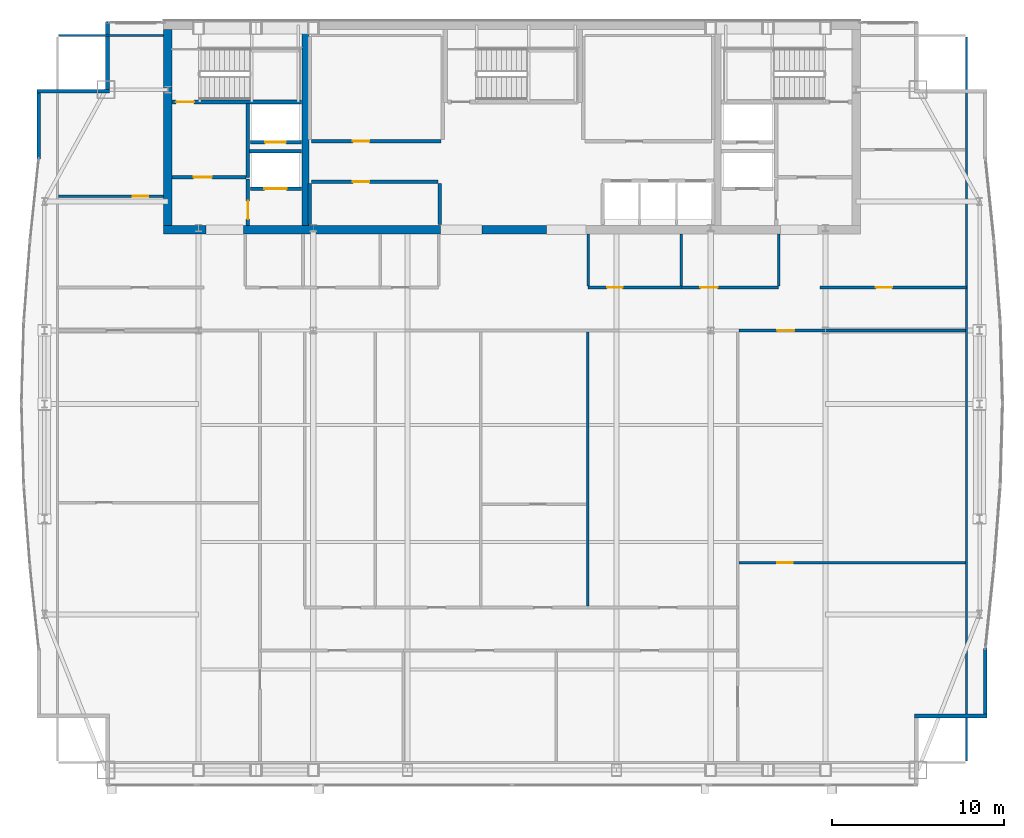
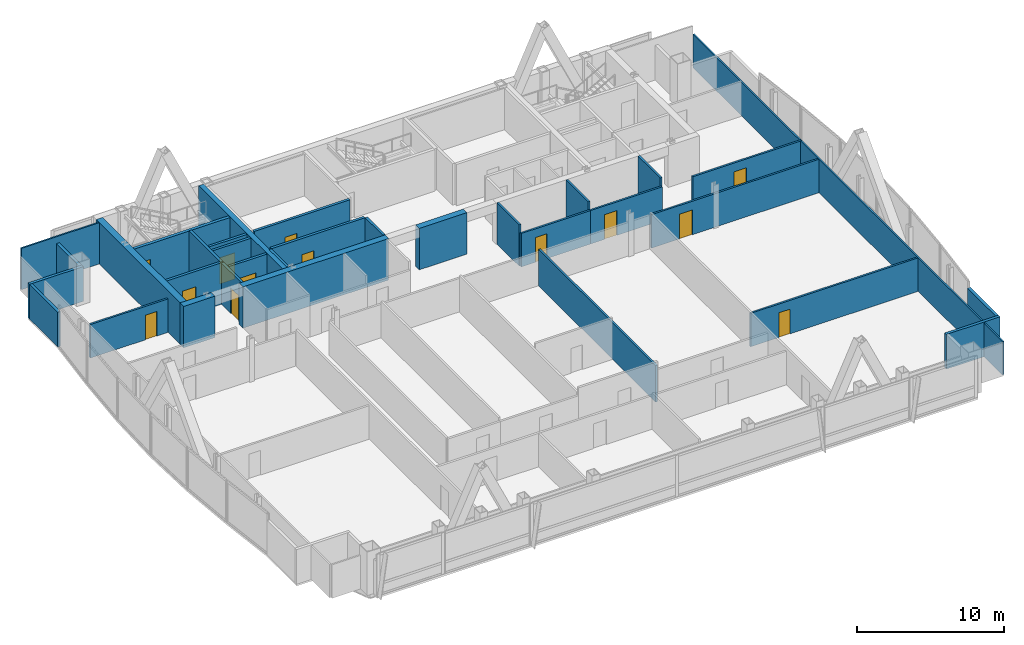
# One storey, part 26 of 30: 33 walls, 13 doors, 13 openings.
"""IFC4 building model written with IfcOpenShell, lengths in metres."""

from ifc_helpers import new_model, si_unit, direction, frame, frame_2d, origin, place, context, subcontext, project, spatial, rectangle, extrude, material, layer, layer_set, type_object, element, fill, save


model = new_model("IFC4")

# Units and contexts
model_context = context("Model", 3, precision=1e-05, world=origin(), true_north=direction((0.0, 1.0)))
body_context = subcontext(model_context, "Body", "Model", "MODEL_VIEW")
ifc_project = project(units=[si_unit("LENGTHUNIT", "METRE"), si_unit("AREAUNIT", "SQUARE_METRE"), si_unit("VOLUMEUNIT", "CUBIC_METRE"), si_unit("PLANEANGLEUNIT", "RADIAN"), si_unit("MASSUNIT", "GRAM", prefix="KILO")], contexts=[model_context])

# Site, building, storey
site_placement = place(None, origin())
site = spatial("IfcSite", under=ifc_project, at=site_placement, CompositionType="ELEMENT")
building_placement = place(site_placement, origin())
building = spatial("IfcBuilding", under=site, at=building_placement, Name="Khoronbel Lancet Exchange", CompositionType="ELEMENT")
storey_placement = place(building_placement, frame((0.0, 0.0, 284.199951171875)))
storey = spatial("IfcBuildingStorey", under=building, at=storey_placement, Name="L73", CompositionType="ELEMENT", Elevation=284.199951171875)

# Walls
ifc_material_1 = material(Name="Concrete C60/75", Category="concrete")
ifc_layer_1 = layer(ifc_material_1, 0.5, Name="Concrete C60/75")
ifc_layer_set_1 = layer_set([ifc_layer_1], Name="Concrete C60/75")
wall_type_1 = type_object("IfcWallType", Name="WL-CW4", PredefinedType="SHEAR", material=ifc_layer_set_1)
wall_1_placement = place(storey_placement, frame((16.449951171875, 41.800048828125, 0.0), z_axis=(0.0, 0.0, 1.0), x_axis=(0.0, 1.0, 0.0)))
element("IfcWall", 1, at=wall_1_placement, inside=storey, type_object=wall_type_1, Name="Level L73 rear core west shear wall", PredefinedType="SHEAR", context=body_context, shape_type="SweptSolid", body=[
    extrude(rectangle(XDim=11.39990234375, YDim=0.5, at=frame_2d((5.699951171875, 0.0))), origin(), (0.0, 0.0, 1.0), 3.43994140625),
])
wall_2_placement = place(storey_placement, frame((18.64990234375, 41.550048828125, 0.0), z_axis=(0.0, 0.0, 1.0), x_axis=(-1.0, 0.0, 0.0)))
element("IfcWall", 2, at=wall_2_placement, inside=storey, type_object=wall_type_1, Name="Level L73 rear core south shear wall pier P1", PredefinedType="SHEAR", context=body_context, shape_type="SweptSolid", body=[
    extrude(rectangle(XDim=2.449951171875, YDim=0.5, at=frame_2d((1.22509765625, 0.0))), origin(), (0.0, 0.0, 1.0), 3.43994140625),
])
wall_3_placement = place(storey_placement, frame((32.300048828125, 41.550048828125, 0.0), z_axis=(0.0, 0.0, 1.0), x_axis=(-1.0, 0.0, 0.0)))
element("IfcWall", 3, at=wall_3_placement, inside=storey, type_object=wall_type_1, Name="Level L73 rear core south shear wall pier P2", PredefinedType="SHEAR", context=body_context, shape_type="SweptSolid", body=[
    extrude(rectangle(XDim=11.449951171875, YDim=0.5, at=frame_2d((5.72509765625, 0.0))), origin(), (0.0, 0.0, 1.0), 3.43994140625),
])
wall_4_placement = place(storey_placement, frame((38.449951171875, 41.550048828125, 0.0), z_axis=(0.0, 0.0, 1.0), x_axis=(-1.0, 0.0, 0.0)))
element("IfcWall", 4, at=wall_4_placement, inside=storey, type_object=wall_type_1, Name="Level L73 rear core south shear wall pier P3", PredefinedType="SHEAR", context=body_context, shape_type="SweptSolid", body=[
    extrude(rectangle(XDim=3.75, YDim=0.5, at=frame_2d((1.875, 0.0))), origin(), (0.0, 0.0, 1.0), 3.43994140625),
])
ifc_material_2 = material(Name="Precast concrete C40/50", Category="concrete")
ifc_layer_2 = layer(ifc_material_2, 0.25, Name="Precast concrete C40/50")
ifc_layer_set_2 = layer_set([ifc_layer_2], Name="Precast concrete C40/50")
wall_type_2 = type_object("IfcWallType", Name="WL-EXT250", PredefinedType="SOLIDWALL", material=ifc_layer_set_2)
wall_5_placement = place(storey_placement, frame((8.93994140625, 45.67529296875, 0.0), z_axis=(0.0, 0.0, 1.0), x_axis=(0.0, 1.0, 0.0)))
element("IfcWall", 5, at=wall_5_placement, inside=storey, type_object=wall_type_2, Name="Level L73 notched-corner limestone pier 10", PredefinedType="SOLIDWALL", context=body_context, shape_type="SweptSolid", body=[
    extrude(rectangle(XDim=3.82470703125, YDim=0.219970703125, at=frame_2d((1.912353515625, 0.0))), origin(), (0.0, 0.0, 1.0), 2.880126953125),
])
wall_6_placement = place(storey_placement, frame((8.830078125, 49.610107421875, 0.0), z_axis=(0.0, 0.0, 1.0), x_axis=(1.0, 0.0, 0.0)))
element("IfcWall", 6, at=wall_6_placement, inside=storey, type_object=wall_type_2, Name="Level L73 notched-corner limestone pier 11", PredefinedType="SOLIDWALL", context=body_context, shape_type="SweptSolid", body=[
    extrude(rectangle(XDim=4.219970703125, YDim=0.219970703125, at=frame_2d((2.10986328125, 0.0))), origin(), (0.0, 0.0, 1.0), 2.880126953125),
])
wall_7_placement = place(storey_placement, frame((12.93994140625, 49.719970703125, 0.0), z_axis=(0.0, 0.0, 1.0), x_axis=(0.0, 1.0, 0.0)))
element("IfcWall", 7, at=wall_7_placement, inside=storey, type_object=wall_type_2, Name="Level L73 notched-corner limestone pier 12", PredefinedType="SOLIDWALL", context=body_context, shape_type="SweptSolid", body=[
    extrude(rectangle(XDim=3.909912109375, YDim=0.219970703125, at=frame_2d((1.955078125, 0.0))), origin(), (0.0, 0.0, 1.0), 2.880126953125),
])
wall_8_placement = place(storey_placement, frame((63.9599609375, 17.224609375, 0.0), z_axis=(0.0, 0.0, 1.0), x_axis=(0.0, -1.0, 0.0)))
element("IfcWall", 8, at=wall_8_placement, inside=storey, type_object=wall_type_2, Name="Level L73 notched-corner limestone pier 23", PredefinedType="SOLIDWALL", context=body_context, shape_type="SweptSolid", body=[
    extrude(rectangle(XDim=3.82470703125, YDim=0.219970703125, at=frame_2d((1.912353515625, 0.0))), origin(), (0.0, 0.0, 1.0), 2.880126953125),
])
wall_9_placement = place(storey_placement, frame((64.070068359375, 13.2900390625, 0.0), z_axis=(0.0, 0.0, 1.0), x_axis=(-1.0, 0.0, 0.0)))
element("IfcWall", 9, at=wall_9_placement, inside=storey, type_object=wall_type_2, Name="Level L73 notched-corner limestone pier 24", PredefinedType="SOLIDWALL", context=body_context, shape_type="SweptSolid", body=[
    extrude(rectangle(XDim=4.219970703125, YDim=0.219970703125, at=frame_2d((2.10986328125, 0.0))), origin(), (0.0, 0.0, 1.0), 2.880126953125),
])
ifc_material_3 = material(Name="Acoustic Metal-Stud & Mineral-Wool Gypsum Partition 120 mm", Category="gypsum")
ifc_layer_3 = layer(ifc_material_3, 0.1201171875, Name="Acoustic Metal-Stud & Mineral-Wool Gypsum Partition 120 mm")
ifc_layer_set_3 = layer_set([ifc_layer_3], Name="Acoustic Metal-Stud & Mineral-Wool Gypsum Partition 120 mm")
wall_type_3 = type_object("IfcWallType", Name="WL-PRT120", PredefinedType="PARTITIONING", material=ifc_layer_set_3)
for number, where, z_axis, x_axis, name in (
    (10, (40.8798828125, 38.280029296875, 0.0), (0.0, 0.0, 1.0), (0.0, 1.0, 0.0), "Level L73 interior partition PW-NP-0"),
    (11, (46.300048828125, 38.280029296875, 0.0), (0.0, 0.0, 1.0), (0.0, 1.0, 0.0), "Level L73 interior partition PW-NP-M"),
    (12, (51.949951171875, 38.280029296875, 0.0), (0.0, 0.0, 1.0), (0.0, 1.0, 0.0), "Level L73 interior partition PW-NP-1"),
):
    element("IfcWall", number, at=place(storey_placement, frame(where, z_axis=z_axis, x_axis=x_axis)), inside=storey, type_object=wall_type_3, Name=name, PredefinedType="PARTITIONING", context=body_context, shape_type="SweptSolid", body=[
        extrude(rectangle(XDim=3.02001953125, YDim=0.14990234375, at=frame_2d((1.510009765625, 0.0))), origin(), (0.0, 0.0, 1.0), 3.43994140625),
    ])

# Wall, opening, door
wall_10_placement = place(storey_placement, frame((10.094970703125, 43.5, 0.0), z_axis=(0.0, 0.0, 1.0), x_axis=(1.0, 0.0, 0.0)))
wall_10 = element("IfcWall", 13, at=wall_10_placement, inside=storey, type_object=wall_type_3, Name="Level L73 interior partition PW-NW-H", PredefinedType="PARTITIONING", context=body_context, shape_type="SweptSolid", body=[
    extrude(rectangle(XDim=6.10498046875, YDim=0.14990234375, at=frame_2d((3.052490234375, 0.0))), origin(), (0.0, 0.0, 1.0), 2.780029296875),
])
opening_1_placement = place(wall_10_placement, frame((4.320068359375, 0.0, 0.0)))
opening_1 = element("IfcOpeningElement", 14, at=opening_1_placement, cuts=wall_10, Name="Opening D5", PredefinedType="OPENING", context=body_context, shape_type="SweptSolid", body=[
    extrude(rectangle(XDim=0.89990234375, YDim=2.050048828125, at=frame_2d((0.449951171875, 1.02490234375))), frame((0.0, 0.0849609375, 0.0), z_axis=(0.0, -1.0, 0.0), x_axis=(1.0, 0.0, 0.0)), (0.0, 0.0, 1.0), 0.169921875),
])
ifc_material_4 = material(Name="Acoustic Timber Pantry & Support Door", Category="wood")
door_type_1 = type_object("IfcDoorType", Name="DR-D5", OperationType="NOTDEFINED", PredefinedType="DOOR", material=ifc_material_4)
door_1_placement = place(opening_1_placement, origin())
door_1 = element("IfcDoor", 15, at=door_1_placement, inside=storey, type_object=door_type_1, Name="NW north room door L73-1", OperationType="SINGLE_SWING_RIGHT", OverallHeight=2.050048828125, OverallWidth=0.89990234375, PredefinedType="DOOR", context=body_context, shape_type="SweptSolid", body=[
    extrude(rectangle(XDim=0.89990234375, YDim=2.050048828125, at=frame_2d((0.449951171875, 1.02490234375))), frame((0.0, 0.02490234375, 0.0), z_axis=(0.0, -1.0, 0.0), x_axis=(1.0, 0.0, 0.0)), (0.0, 0.0, 1.0), 0.050048828125),
])
fill(opening_1, door_1)

wall_11_placement = place(storey_placement, frame((49.659912109375, 22.199951171875, 0.0), z_axis=(0.0, 0.0, 1.0), x_axis=(1.0, 0.0, 0.0)))
wall_11 = element("IfcWall", 16, at=wall_11_placement, inside=storey, type_object=wall_type_3, Name="Level L73 interior partition PW-Z4-EH", PredefinedType="PARTITIONING", context=body_context, shape_type="SweptSolid", body=[
    extrude(rectangle(XDim=13.14501953125, YDim=0.14990234375, at=frame_2d((6.572509765625, 0.0))), origin(), (0.0, 0.0, 1.0), 2.780029296875),
])
opening_2_placement = place(wall_11_placement, frame((2.199951171875, 0.0, 0.0)))
opening_2 = element("IfcOpeningElement", 17, at=opening_2_placement, cuts=wall_11, Name="Opening D5", PredefinedType="OPENING", context=body_context, shape_type="SweptSolid", body=[
    extrude(rectangle(XDim=0.89990234375, YDim=2.050048828125, at=frame_2d((0.449951171875, 1.02490234375))), frame((0.0, 0.0849609375, 0.0), z_axis=(0.0, -1.0, 0.0), x_axis=(1.0, 0.0, 0.0)), (0.0, 0.0, 1.0), 0.169921875),
])
door_2_placement = place(opening_2_placement, origin())
door_2 = element("IfcDoor", 18, at=door_2_placement, inside=storey, type_object=door_type_1, Name="East lens inner door L73-1", OperationType="SINGLE_SWING_LEFT", OverallHeight=2.050048828125, OverallWidth=0.89990234375, PredefinedType="DOOR", context=body_context, shape_type="SweptSolid", body=[
    extrude(rectangle(XDim=0.89990234375, YDim=2.050048828125, at=frame_2d((0.449951171875, 1.02490234375))), frame((0.0, 0.02490234375, 0.0), z_axis=(0.0, -1.0, 0.0), x_axis=(1.0, 0.0, 0.0)), (0.0, 0.0, 1.0), 0.050048828125),
])
fill(opening_2, door_2)

# Walls
wall_12_placement = place(storey_placement, frame((62.8701171875, 10.6650390625, 0.0), z_axis=(0.0, 0.0, 1.0), x_axis=(0.0, 1.0, 0.0)))
element("IfcWall", 19, at=wall_12_placement, inside=storey, type_object=wall_type_3, Name="Level L73 interior partition PW-LIN-E", PredefinedType="PARTITIONING", context=body_context, shape_type="SweptSolid", body=[
    extrude(rectangle(XDim=42.10986328125, YDim=0.1201171875, at=frame_2d((21.054931640625, 0.0))), origin(), (0.0, 0.0, 1.0), 2.780029296875),
])
wall_13_placement = place(storey_placement, frame((10.094970703125, 52.840087890625, 0.0), z_axis=(0.0, 0.0, 1.0), x_axis=(1.0, 0.0, 0.0)))
element("IfcWall", 20, at=wall_13_placement, inside=storey, type_object=wall_type_3, Name="Level L73 interior partition PW-LIN-NW", PredefinedType="PARTITIONING", context=body_context, shape_type="SweptSolid", body=[
    extrude(rectangle(XDim=6.10498046875, YDim=0.1201171875, at=frame_2d((3.052490234375, 0.0))), origin(), (0.0, 0.0, 1.0), 3.43994140625),
])

# Wall, opening, door
ifc_material_5 = material(Name="Fire-Rated Twin-Stud Acoustic Gypsum Partition 150 mm", Category="gypsum")
ifc_layer_4 = layer(ifc_material_5, 0.14990234375, Name="Fire-Rated Twin-Stud Acoustic Gypsum Partition 150 mm")
ifc_layer_set_4 = layer_set([ifc_layer_4], Name="Fire-Rated Twin-Stud Acoustic Gypsum Partition 150 mm")
wall_type_4 = type_object("IfcWallType", Name="WL-PRT150C", PredefinedType="PARTITIONING", material=ifc_layer_set_4)
wall_14_placement = place(storey_placement, frame((40.8798828125, 38.199951171875, 0.0), z_axis=(0.0, 0.0, 1.0), x_axis=(1.0, 0.0, 0.0)))
wall_14 = element("IfcWall", 21, at=wall_14_placement, inside=storey, type_object=wall_type_4, Name="Level L73 interior partition PW-NP-S1", PredefinedType="PARTITIONING", context=body_context, shape_type="SweptSolid", body=[
    extrude(rectangle(XDim=5.420166015625, YDim=0.14990234375, at=frame_2d((2.7099609375, 0.0))), origin(), (0.0, 0.0, 1.0), 2.780029296875),
])
opening_3_placement = place(wall_14_placement, frame((1.10009765625, 0.0, 0.0)))
opening_3 = element("IfcOpeningElement", 22, at=opening_3_placement, cuts=wall_14, Name="Opening D5", PredefinedType="OPENING", context=body_context, shape_type="SweptSolid", body=[
    extrude(rectangle(XDim=0.89990234375, YDim=2.050048828125, at=frame_2d((0.449951171875, 1.02490234375))), frame((0.0, 0.0849609375, 0.0), z_axis=(0.0, -1.0, 0.0), x_axis=(1.0, 0.0, 0.0)), (0.0, 0.0, 1.0), 0.169921875),
])
door_3_placement = place(opening_3_placement, origin())
door_3 = element("IfcDoor", 23, at=door_3_placement, inside=storey, type_object=door_type_1, Name="Floor refreshment pantry door L73-1", OperationType="SINGLE_SWING_RIGHT", OverallHeight=2.050048828125, OverallWidth=0.89990234375, PredefinedType="DOOR", context=body_context, shape_type="SweptSolid", body=[
    extrude(rectangle(XDim=0.89990234375, YDim=2.050048828125, at=frame_2d((0.449951171875, 1.02490234375))), frame((0.0, 0.02490234375, 0.0), z_axis=(0.0, -1.0, 0.0), x_axis=(1.0, 0.0, 0.0)), (0.0, 0.0, 1.0), 0.050048828125),
])
fill(opening_3, door_3)

wall_15_placement = place(storey_placement, frame((46.300048828125, 38.199951171875, 0.0), z_axis=(0.0, 0.0, 1.0), x_axis=(1.0, 0.0, 0.0)))
wall_15 = element("IfcWall", 24, at=wall_15_placement, inside=storey, type_object=wall_type_4, Name="Level L73 interior partition PW-NP-S2", PredefinedType="PARTITIONING", context=body_context, shape_type="SweptSolid", body=[
    extrude(rectangle(XDim=5.64990234375, YDim=0.14990234375, at=frame_2d((2.824951171875, 0.0))), origin(), (0.0, 0.0, 1.0), 2.780029296875),
])
opening_4_placement = place(wall_15_placement, frame((1.10009765625, 0.0, 0.0)))
opening_4 = element("IfcOpeningElement", 25, at=opening_4_placement, cuts=wall_15, Name="Opening D2", PredefinedType="OPENING", context=body_context, shape_type="SweptSolid", body=[
    extrude(rectangle(XDim=1.0, YDim=2.050048828125, at=frame_2d((0.5, 1.02490234375))), frame((0.0, 0.0849609375, 0.0), z_axis=(0.0, -1.0, 0.0), x_axis=(1.0, 0.0, 0.0)), (0.0, 0.0, 1.0), 0.169921875),
])
ifc_material_6 = material(Name="Acoustic Veneered Timber & Bronze Frame Door", Category="wood")
door_type_2 = type_object("IfcDoorType", Name="DR-D2", OperationType="NOTDEFINED", PredefinedType="DOOR", material=ifc_material_6)
door_4_placement = place(opening_4_placement, origin())
door_4 = element("IfcDoor", 26, at=door_4_placement, inside=storey, type_object=door_type_2, Name="Floor store door L73-1", OperationType="SINGLE_SWING_LEFT", OverallHeight=2.050048828125, OverallWidth=1.0, PredefinedType="DOOR", context=body_context, shape_type="SweptSolid", body=[
    extrude(rectangle(XDim=1.0, YDim=2.050048828125, at=frame_2d((0.5, 1.02490234375))), frame((0.0, 0.02490234375, 0.0), z_axis=(0.0, -1.0, 0.0), x_axis=(1.0, 0.0, 0.0)), (0.0, 0.0, 1.0), 0.050048828125),
])
fill(opening_4, door_4)

wall_16_placement = place(storey_placement, frame((54.35009765625, 38.199951171875, 0.0), z_axis=(0.0, 0.0, 1.0), x_axis=(1.0, 0.0, 0.0)))
wall_16 = element("IfcWall", 27, at=wall_16_placement, inside=storey, type_object=wall_type_4, Name="Level L73 interior partition PW-NE-S", PredefinedType="PARTITIONING", context=body_context, shape_type="SweptSolid", body=[
    extrude(rectangle(XDim=8.52001953125, YDim=0.14990234375, at=frame_2d((4.260009765625, 0.0))), origin(), (0.0, 0.0, 1.0), 2.780029296875),
])
opening_5_placement = place(wall_16_placement, frame((3.25, 0.0, 0.0)))
opening_5 = element("IfcOpeningElement", 28, at=opening_5_placement, cuts=wall_16, Name="Opening D1", PredefinedType="OPENING", context=body_context, shape_type="SweptSolid", body=[
    extrude(rectangle(XDim=0.949951171875, YDim=2.050048828125, at=frame_2d((0.47509765625, 1.02490234375))), frame((0.0, 0.0849609375, 0.0), z_axis=(0.0, -1.0, 0.0), x_axis=(1.0, 0.0, 0.0)), (0.0, 0.0, 1.0), 0.169921875),
])
door_type_3 = type_object("IfcDoorType", Name="DR-D1", OperationType="NOTDEFINED", PredefinedType="DOOR", material=ifc_material_6)
door_5_placement = place(opening_5_placement, origin())
door_5 = element("IfcDoor", 29, at=door_5_placement, inside=storey, type_object=door_type_3, Name="NE corner room door L73-1", OperationType="SINGLE_SWING_LEFT", OverallHeight=2.050048828125, OverallWidth=0.949951171875, PredefinedType="DOOR", context=body_context, shape_type="SweptSolid", body=[
    extrude(rectangle(XDim=0.949951171875, YDim=2.050048828125, at=frame_2d((0.47509765625, 1.02490234375))), frame((0.0, 0.02490234375, 0.0), z_axis=(0.0, -1.0, 0.0), x_axis=(1.0, 0.0, 0.0)), (0.0, 0.0, 1.0), 0.050048828125),
])
fill(opening_5, door_5)

wall_17_placement = place(storey_placement, frame((49.659912109375, 35.699951171875, 0.0), z_axis=(0.0, 0.0, 1.0), x_axis=(1.0, 0.0, 0.0)))
wall_17 = element("IfcWall", 30, at=wall_17_placement, inside=storey, type_object=wall_type_4, Name="Level L73 interior partition PW-Z4-EN2", PredefinedType="PARTITIONING", context=body_context, shape_type="SweptSolid", body=[
    extrude(rectangle(XDim=13.14501953125, YDim=0.14990234375, at=frame_2d((6.572509765625, 0.0))), origin(), (0.0, 0.0, 1.0), 2.780029296875),
])
opening_6_placement = place(wall_17_placement, frame((2.199951171875, 0.0, 0.0)))
opening_6 = element("IfcOpeningElement", 31, at=opening_6_placement, cuts=wall_17, Name="Opening D2", PredefinedType="OPENING", context=body_context, shape_type="SweptSolid", body=[
    extrude(rectangle(XDim=1.0, YDim=2.050048828125, at=frame_2d((0.5, 1.02490234375))), frame((0.0, 0.0849609375, 0.0), z_axis=(0.0, -1.0, 0.0), x_axis=(1.0, 0.0, 0.0)), (0.0, 0.0, 1.0), 0.169921875),
])
door_6_placement = place(opening_6_placement, origin())
door_6 = element("IfcDoor", 32, at=door_6_placement, inside=storey, type_object=door_type_2, Name="East lens north door L73-1", OperationType="SINGLE_SWING_RIGHT", OverallHeight=2.050048828125, OverallWidth=1.0, PredefinedType="DOOR", context=body_context, shape_type="SweptSolid", body=[
    extrude(rectangle(XDim=1.0, YDim=2.050048828125, at=frame_2d((0.5, 1.02490234375))), frame((0.0, 0.02490234375, 0.0), z_axis=(0.0, -1.0, 0.0), x_axis=(1.0, 0.0, 0.0)), (0.0, 0.0, 1.0), 0.050048828125),
])
fill(opening_6, door_6)

# Wall
wall_18_placement = place(storey_placement, frame((40.85498046875, 19.68505859375, 0.0), z_axis=(0.0, 0.0, 1.0), x_axis=(0.0, 1.0, 0.0)))
element("IfcWall", 33, at=wall_18_placement, inside=storey, type_object=wall_type_4, Name="Level L73 interior partition PW-Z4C-V3", PredefinedType="PARTITIONING", context=body_context, shape_type="SweptSolid", body=[
    extrude(rectangle(XDim=15.93505859375, YDim=0.14990234375, at=frame_2d((7.967529296875, 0.0))), origin(), (0.0, 0.0, 1.0), 3.030029296875),
])

# Wall, opening, door
ifc_material_7 = material(Name="Autoclaved Aerated Concrete Blockwork 200 mm", Category="masonry")
ifc_layer_5 = layer(ifc_material_7, 0.199951171875, Name="Autoclaved Aerated Concrete Blockwork 200 mm")
ifc_layer_set_5 = layer_set([ifc_layer_5], Name="Autoclaved Aerated Concrete Blockwork 200 mm")
wall_type_5 = type_object("IfcWallType", Name="WL-PRT200", PredefinedType="PARTITIONING", material=ifc_layer_set_5)
wall_19_placement = place(storey_placement, frame((24.2099609375, 43.949951171875, 0.0), z_axis=(0.0, 0.0, 1.0), x_axis=(-1.0, 0.0, 0.0)))
wall_19 = element("IfcWall", 34, at=wall_19_placement, inside=storey, type_object=wall_type_5, Name="Level L73 elevator hoistway landing front wall SVLW", PredefinedType="PARTITIONING", context=body_context, shape_type="SweptSolid", body=[
    extrude(rectangle(XDim=2.969970703125, YDim=0.199951171875, at=frame_2d((1.48486328125, 0.0))), origin(), (0.0, 0.0, 1.0), 3.43994140625),
])
opening_7_placement = place(wall_19_placement, frame((0.860107421875, 0.0, 0.0)))
opening_7 = element("IfcOpeningElement", 35, at=opening_7_placement, cuts=wall_19, Name="Opening LD-SVL1", PredefinedType="OPENING", context=body_context, shape_type="SweptSolid", body=[
    extrude(rectangle(XDim=1.300048828125, YDim=2.179931640625, at=frame_2d((0.64990234375, 1.08984375))), frame((0.0, 0.10986328125, 0.0), z_axis=(0.0, -1.0, 0.0), x_axis=(1.0, 0.0, 0.0)), (0.0, 0.0, 1.0), 0.219970703125),
])
ifc_material_8 = material(Name="Heavy-Duty Bi-Parting Goods Lift Landing Door", Category="steel")
door_type_4 = type_object("IfcDoorType", Name="DR-LD-SVL", OperationType="NOTDEFINED", PredefinedType="DOOR", material=ifc_material_8)
door_7_placement = place(opening_7_placement, origin())
door_7 = element("IfcDoor", 36, at=door_7_placement, inside=storey, type_object=door_type_4, Name="Elevator landing sliding door LD-SVL1 L73", OperationType="SLIDING_TO_LEFT", OverallHeight=2.179931640625, OverallWidth=1.300048828125, PredefinedType="DOOR", context=body_context, shape_type="SweptSolid", body=[
    extrude(rectangle(XDim=1.300048828125, YDim=2.179931640625, at=frame_2d((0.64990234375, 1.08984375))), frame((0.0, 0.02490234375, 0.0), z_axis=(0.0, -1.0, 0.0), x_axis=(1.0, 0.0, 0.0)), (0.0, 0.0, 1.0), 0.050048828125),
])
fill(opening_7, door_7)

wall_20_placement = place(storey_placement, frame((24.2099609375, 46.64990234375, 0.0), z_axis=(0.0, 0.0, 1.0), x_axis=(-1.0, 0.0, 0.0)))
wall_20 = element("IfcWall", 37, at=wall_20_placement, inside=storey, type_object=wall_type_5, Name="Level L73 elevator hoistway landing front wall FFLW", PredefinedType="PARTITIONING", context=body_context, shape_type="SweptSolid", body=[
    extrude(rectangle(XDim=2.969970703125, YDim=0.199951171875, at=frame_2d((1.48486328125, 0.0))), origin(), (0.0, 0.0, 1.0), 3.43994140625),
])
opening_8_placement = place(wall_20_placement, frame((0.909912109375, 0.0, 0.0)))
opening_8 = element("IfcOpeningElement", 38, at=opening_8_placement, cuts=wall_20, Name="Opening LD-FFL1", PredefinedType="OPENING", context=body_context, shape_type="SweptSolid", body=[
    extrude(rectangle(XDim=1.199951171875, YDim=2.179931640625, at=frame_2d((0.60009765625, 1.08984375))), frame((0.0, 0.10986328125, 0.0), z_axis=(0.0, -1.0, 0.0), x_axis=(1.0, 0.0, 0.0)), (0.0, 0.0, 1.0), 0.219970703125),
])
ifc_material_9 = material(Name="Fire-Rated Stainless Bi-Parting Firefighting Lift Door", Category="steel")
door_type_5 = type_object("IfcDoorType", Name="DR-LD-FFL", OperationType="NOTDEFINED", PredefinedType="DOOR", material=ifc_material_9)
door_8_placement = place(opening_8_placement, origin())
door_8 = element("IfcDoor", 39, at=door_8_placement, inside=storey, type_object=door_type_5, Name="Elevator landing sliding door LD-FFL1 L73", OperationType="SLIDING_TO_LEFT", OverallHeight=2.179931640625, OverallWidth=1.199951171875, PredefinedType="DOOR", context=body_context, shape_type="SweptSolid", body=[
    extrude(rectangle(XDim=1.199951171875, YDim=2.179931640625, at=frame_2d((0.60009765625, 1.08984375))), frame((0.0, 0.02490234375, 0.0), z_axis=(0.0, -1.0, 0.0), x_axis=(1.0, 0.0, 0.0)), (0.0, 0.0, 1.0), 0.050048828125),
])
fill(opening_8, door_8)

# Wall
wall_21_placement = place(storey_placement, frame((21.10009765625, 44.60009765625, 0.0), z_axis=(0.0, 0.0, 1.0), x_axis=(0.0, 1.0, 0.0)))
element("IfcWall", 40, at=wall_21_placement, inside=storey, type_object=wall_type_5, Name="Level L73 interior partition CW-FFLW-E", PredefinedType="PARTITIONING", context=body_context, shape_type="SweptSolid", body=[
    extrude(rectangle(XDim=4.2998046875, YDim=0.199951171875, at=frame_2d((2.14990234375, 0.0))), origin(), (0.0, 0.0, 1.0), 3.43994140625),
])

# Wall, opening, door
wall_22_placement = place(storey_placement, frame((16.699951171875, 44.60009765625, 0.0), z_axis=(0.0, 0.0, 1.0), x_axis=(1.0, 0.0, 0.0)))
wall_22 = element("IfcWall", 41, at=wall_22_placement, inside=storey, type_object=wall_type_5, Name="Level L73 interior partition CW-FFLW-S", PredefinedType="PARTITIONING", context=body_context, shape_type="SweptSolid", body=[
    extrude(rectangle(XDim=4.300048828125, YDim=0.199951171875, at=frame_2d((2.14990234375, 0.0))), origin(), (0.0, 0.0, 1.0), 3.43994140625),
])
opening_9_placement = place(wall_22_placement, frame((1.25, 0.0, 0.0)))
opening_9 = element("IfcOpeningElement", 42, at=opening_9_placement, cuts=wall_22, Name="Opening FD1", PredefinedType="OPENING", context=body_context, shape_type="SweptSolid", body=[
    extrude(rectangle(XDim=1.050048828125, YDim=2.14990234375, at=frame_2d((0.52490234375, 1.074951171875))), frame((0.0, 0.10986328125, 0.0), z_axis=(0.0, -1.0, 0.0), x_axis=(1.0, 0.0, 0.0)), (0.0, 0.0, 1.0), 0.219970703125),
])
ifc_material_10 = material(Name="Fire-Rated Painted Steel Door Assembly", Category="steel")
door_type_6 = type_object("IfcDoorType", Name="DR-FD1", OperationType="NOTDEFINED", PredefinedType="DOOR", material=ifc_material_10)
door_9_placement = place(opening_9_placement, origin())
door_9 = element("IfcDoor", 43, at=door_9_placement, inside=storey, type_object=door_type_6, Name="West firefighting lobby FD90S door L73-1", OperationType="SINGLE_SWING_RIGHT", OverallHeight=2.14990234375, OverallWidth=1.050048828125, PredefinedType="DOOR", context=body_context, shape_type="SweptSolid", body=[
    extrude(rectangle(XDim=1.050048828125, YDim=2.14990234375, at=frame_2d((0.52490234375, 1.074951171875))), frame((0.0, 0.02490234375, 0.0), z_axis=(0.0, -1.0, 0.0), x_axis=(1.0, 0.0, 0.0)), (0.0, 0.0, 1.0), 0.050048828125),
])
fill(opening_9, door_9)

# Wall
wall_23_placement = place(storey_placement, frame((21.199951171875, 46.1201171875, 0.0), z_axis=(0.0, 0.0, 1.0), x_axis=(1.0, 0.0, 0.0)))
element("IfcWall", 44, at=wall_23_placement, inside=storey, type_object=wall_type_5, Name="Level L73 interior partition CW-FFL1-S", PredefinedType="PARTITIONING", context=body_context, shape_type="SweptSolid", body=[
    extrude(rectangle(XDim=3.02001953125, YDim=0.199951171875, at=frame_2d((1.510009765625, 0.0))), origin(), (0.0, 0.0, 1.0), 3.43994140625),
])

# Wall, opening, door
wall_24_placement = place(storey_placement, frame((21.10009765625, 41.800048828125, 0.0), z_axis=(0.0, 0.0, 1.0), x_axis=(0.0, 1.0, 0.0)))
wall_24 = element("IfcWall", 45, at=wall_24_placement, inside=storey, type_object=wall_type_5, Name="Level L73 interior partition CW-SVLW-W", PredefinedType="PARTITIONING", context=body_context, shape_type="SweptSolid", body=[
    extrude(rectangle(XDim=2.695068359375, YDim=0.199951171875, at=frame_2d((1.34765625, 0.0))), origin(), (0.0, 0.0, 1.0), 3.43994140625),
])
opening_10_placement = place(wall_24_placement, frame((0.3798828125, 0.0, 0.0)))
opening_10 = element("IfcOpeningElement", 46, at=opening_10_placement, cuts=wall_24, Name="Opening FD1", PredefinedType="OPENING", context=body_context, shape_type="SweptSolid", body=[
    extrude(rectangle(XDim=1.050048828125, YDim=2.14990234375, at=frame_2d((0.52490234375, 1.074951171875))), frame((0.0, 0.10986328125, 0.0), z_axis=(0.0, -1.0, 0.0), x_axis=(1.0, 0.0, 0.0)), (0.0, 0.0, 1.0), 0.219970703125),
])
door_10_placement = place(opening_10_placement, origin())
door_10 = element("IfcDoor", 47, at=door_10_placement, inside=storey, type_object=door_type_6, Name="West service lift lobby door L73-1", OperationType="SINGLE_SWING_LEFT", OverallHeight=2.14990234375, OverallWidth=1.050048828125, PredefinedType="DOOR", context=body_context, shape_type="SweptSolid", body=[
    extrude(rectangle(XDim=1.050048828125, YDim=2.14990234375, at=frame_2d((0.52490234375, 1.074951171875))), frame((0.0, 0.02490234375, 0.0), z_axis=(0.0, -1.0, 0.0), x_axis=(1.0, 0.0, 0.0)), (0.0, 0.0, 1.0), 0.050048828125),
])
fill(opening_10, door_10)

wall_25_placement = place(storey_placement, frame((24.804931640625, 46.699951171875, 0.0), z_axis=(0.0, 0.0, 1.0), x_axis=(1.0, 0.0, 0.0)))
wall_25 = element("IfcWall", 48, at=wall_25_placement, inside=storey, type_object=wall_type_5, Name="Level L73 interior partition CW-PL-RF", PredefinedType="PARTITIONING", context=body_context, shape_type="SweptSolid", body=[
    extrude(rectangle(XDim=7.510009765625, YDim=0.199951171875, at=frame_2d((3.7548828125, 0.0))), origin(), (0.0, 0.0, 1.0), 3.43994140625),
])
opening_11_placement = place(wall_25_placement, frame((2.39990234375, 0.0, 0.0)))
opening_11 = element("IfcOpeningElement", 49, at=opening_11_placement, cuts=wall_25, Name="Opening FD3", PredefinedType="OPENING", context=body_context, shape_type="SweptSolid", body=[
    extrude(rectangle(XDim=0.949951171875, YDim=2.10009765625, at=frame_2d((0.47509765625, 1.050048828125))), frame((0.0, 0.10986328125, 0.0), z_axis=(0.0, -1.0, 0.0), x_axis=(1.0, 0.0, 0.0)), (0.0, 0.0, 1.0), 0.219970703125),
])
ifc_material_11 = material(Name="Fire-Rated Steel Plant & Riser Door Assembly", Category="steel")
door_type_7 = type_object("IfcDoorType", Name="DR-FD3", OperationType="NOTDEFINED", PredefinedType="DOOR", material=ifc_material_11)
door_11_placement = place(opening_11_placement, origin())
door_11 = element("IfcDoor", 50, at=door_11_placement, inside=storey, type_object=door_type_7, Name="Reclaimed PL room door L73-1", OperationType="SINGLE_SWING_RIGHT", OverallHeight=2.10009765625, OverallWidth=0.949951171875, PredefinedType="DOOR", context=body_context, shape_type="SweptSolid", body=[
    extrude(rectangle(XDim=0.949951171875, YDim=2.10009765625, at=frame_2d((0.47509765625, 1.050048828125))), frame((0.0, 0.02490234375, 0.0), z_axis=(0.0, -1.0, 0.0), x_axis=(1.0, 0.0, 0.0)), (0.0, 0.0, 1.0), 0.050048828125),
])
fill(opening_11, door_11)

# Walls
for number, where, z_axis, x_axis, name in (
    (51, (24.699951171875, 41.85009765625, 0.0), (0.0, 0.0, 1.0), (0.0, 1.0, 0.0), "Level L73 interior partition CW-PM-RW"),
    (52, (32.25, 41.85009765625, 0.0), (0.0, 0.0, 1.0), (0.0, 1.0, 0.0), "Level L73 interior partition CW-PM-RE"),
):
    element("IfcWall", number, at=place(storey_placement, frame(where, z_axis=z_axis, x_axis=x_axis)), inside=storey, type_object=wall_type_5, Name=name, PredefinedType="PARTITIONING", context=body_context, shape_type="SweptSolid", body=[
        extrude(rectangle(XDim=2.39501953125, YDim=0.199951171875, at=frame_2d((1.197509765625, 0.0))), origin(), (0.0, 0.0, 1.0), 3.43994140625),
    ])

# Wall, opening, door
wall_26_placement = place(storey_placement, frame((24.804931640625, 44.35009765625, 0.0), z_axis=(0.0, 0.0, 1.0), x_axis=(1.0, 0.0, 0.0)))
wall_26 = element("IfcWall", 53, at=wall_26_placement, inside=storey, type_object=wall_type_5, Name="Level L73 interior partition CW-PM-RF", PredefinedType="PARTITIONING", context=body_context, shape_type="SweptSolid", body=[
    extrude(rectangle(XDim=7.340087890625, YDim=0.199951171875, at=frame_2d((3.669921875, 0.0))), origin(), (0.0, 0.0, 1.0), 3.43994140625),
])
opening_12_placement = place(wall_26_placement, frame((2.39990234375, 0.0, 0.0)))
opening_12 = element("IfcOpeningElement", 54, at=opening_12_placement, cuts=wall_26, Name="Opening FD3", PredefinedType="OPENING", context=body_context, shape_type="SweptSolid", body=[
    extrude(rectangle(XDim=0.949951171875, YDim=2.10009765625, at=frame_2d((0.47509765625, 1.050048828125))), frame((0.0, 0.10986328125, 0.0), z_axis=(0.0, -1.0, 0.0), x_axis=(1.0, 0.0, 0.0)), (0.0, 0.0, 1.0), 0.219970703125),
])
door_12_placement = place(opening_12_placement, origin())
door_12 = element("IfcDoor", 55, at=door_12_placement, inside=storey, type_object=door_type_7, Name="Reclaimed PM room door L73-1", OperationType="SINGLE_SWING_LEFT", OverallHeight=2.10009765625, OverallWidth=0.949951171875, PredefinedType="DOOR", context=body_context, shape_type="SweptSolid", body=[
    extrude(rectangle(XDim=0.949951171875, YDim=2.10009765625, at=frame_2d((0.47509765625, 1.050048828125))), frame((0.0, 0.02490234375, 0.0), z_axis=(0.0, -1.0, 0.0), x_axis=(1.0, 0.0, 0.0)), (0.0, 0.0, 1.0), 0.050048828125),
])
fill(opening_12, door_12)

# Wall
ifc_layer_6 = layer(ifc_material_1, 0.39990234375, Name="Concrete C60/75")
ifc_layer_set_6 = layer_set([ifc_layer_6], Name="Concrete C60/75")
wall_type_6 = type_object("IfcWallType", Name="WL-SW2", PredefinedType="SHEAR", material=ifc_layer_set_6)
wall_27_placement = place(storey_placement, frame((24.449951171875, 41.800048828125, 0.0), z_axis=(0.0, 0.0, 1.0), x_axis=(0.0, 1.0, 0.0)))
element("IfcWall", 56, at=wall_27_placement, inside=storey, type_object=wall_type_6, Name="Level L73 rear core internal spine shear wall IW", PredefinedType="SHEAR", context=body_context, shape_type="SweptSolid", body=[
    extrude(rectangle(XDim=11.39990234375, YDim=0.39990234375, at=frame_2d((5.699951171875, 0.0))), origin(), (0.0, 0.0, 1.0), 3.43994140625),
])

# Wall, opening, door
ifc_layer_7 = layer(ifc_material_1, 0.260009765625, Name="Concrete C60/75")
ifc_layer_set_7 = layer_set([ifc_layer_7], Name="Concrete C60/75")
wall_type_7 = type_object("IfcWallType", Name="WL-SW3", PredefinedType="SHEAR", material=ifc_layer_set_7)
wall_28_placement = place(storey_placement, frame((16.699951171875, 48.97998046875, 0.0), z_axis=(0.0, 0.0, 1.0), x_axis=(1.0, 0.0, 0.0)))
wall_28 = element("IfcWall", 57, at=wall_28_placement, inside=storey, type_object=wall_type_7, Name="Level L73 west stairwell structural south wall", PredefinedType="SHEAR", context=body_context, shape_type="SweptSolid", body=[
    extrude(rectangle(XDim=7.52001953125, YDim=0.239990234375, at=frame_2d((3.760009765625, 0.0))), origin(), (0.0, 0.0, 1.0), 3.43994140625),
])
opening_13_placement = place(wall_28_placement, frame((0.219970703125, 0.0, 0.0)))
opening_13 = element("IfcOpeningElement", 58, at=opening_13_placement, cuts=wall_28, Name="Opening SD1", PredefinedType="OPENING", context=body_context, shape_type="SweptSolid", body=[
    extrude(rectangle(XDim=1.050048828125, YDim=2.14990234375, at=frame_2d((0.52490234375, 1.074951171875))), frame((0.0, 0.1298828125, 0.0), z_axis=(0.0, -1.0, 0.0), x_axis=(1.0, 0.0, 0.0)), (0.0, 0.0, 1.0), 0.260009765625),
])
ifc_material_12 = material(Name="Fire-Rated Steel Stairwell Door Assembly", Category="steel")
door_type_8 = type_object("IfcDoorType", Name="DR-SD1", OperationType="NOTDEFINED", PredefinedType="DOOR", material=ifc_material_12)
door_13_placement = place(opening_13_placement, origin())
door_13 = element("IfcDoor", 59, at=door_13_placement, inside=storey, type_object=door_type_8, Name="Protected exit stair ST1 door L73", OperationType="SINGLE_SWING_LEFT", OverallHeight=2.14990234375, OverallWidth=1.050048828125, PredefinedType="DOOR", context=body_context, shape_type="SweptSolid", body=[
    extrude(rectangle(XDim=1.050048828125, YDim=2.14990234375, at=frame_2d((0.52490234375, 1.074951171875))), frame((0.0, 0.02490234375, 0.0), z_axis=(0.0, -1.0, 0.0), x_axis=(1.0, 0.0, 0.0)), (0.0, 0.0, 1.0), 0.050048828125),
])
fill(opening_13, door_13)

save(model, "model.ifc")
